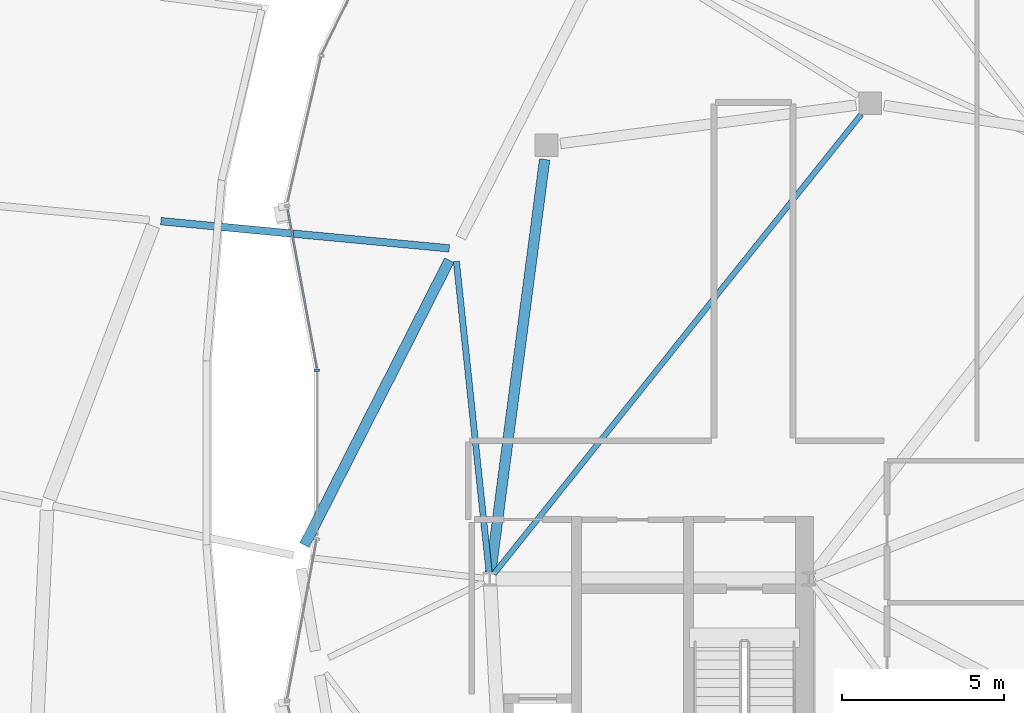
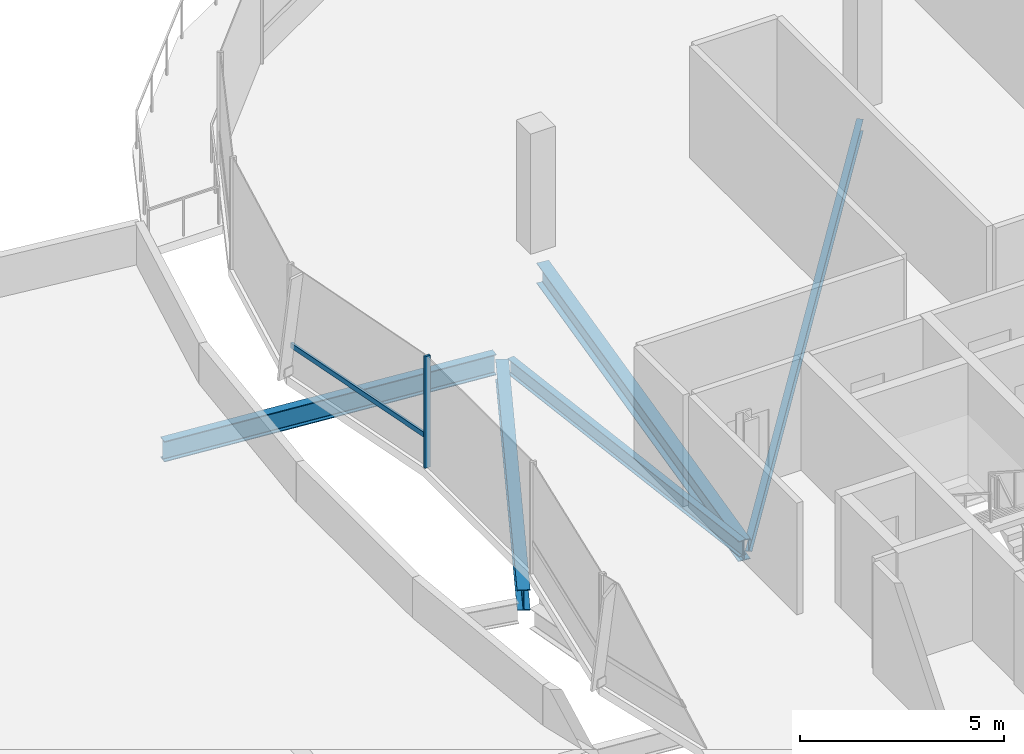
# One storey, part 14 of 31: 5 beams, 2 members, 1 element without a shape of its own.
"""IFC4 building model written with IfcOpenShell, lengths in metres."""

from ifc_helpers import new_model, si_unit, direction, frame, origin, origin_2d, place, context, subcontext, project, spatial, rectangle, i_section, extrude, material, material_profile, profile_set, type_object, element, aggregate, save


model = new_model("IFC4")

# Units and contexts
model_context = context("Model", 3, precision=1e-05, world=origin(), true_north=direction((0.0, 1.0)))
body_context = subcontext(model_context, "Body", "Model", "MODEL_VIEW")
ifc_project = project(units=[si_unit("LENGTHUNIT", "METRE"), si_unit("AREAUNIT", "SQUARE_METRE"), si_unit("VOLUMEUNIT", "CUBIC_METRE"), si_unit("PLANEANGLEUNIT", "RADIAN"), si_unit("MASSUNIT", "GRAM", prefix="KILO"), si_unit("THERMODYNAMICTEMPERATUREUNIT", "KELVIN"), si_unit("POWERUNIT", "WATT")], contexts=[model_context])

# Site, building, storey
site_placement = place(None, origin())
site = spatial("IfcSite", under=ifc_project, at=site_placement, CompositionType="ELEMENT")
building_placement = place(site_placement, origin())
building = spatial("IfcBuilding", under=site, at=building_placement, Name="Cundina Bronze Exchange", CompositionType="ELEMENT")
storey_placement = place(building_placement, frame((0.0, 0.0, 275.60009765625)))
storey = spatial("IfcBuildingStorey", under=building, at=storey_placement, Name="L73", CompositionType="ELEMENT", Elevation=275.60009765625)

# Beams
ifc_material_1 = material(Name="Steel ASTM A992 Grade 50", Category="steel")
ifc_material_profile_1 = material_profile(ifc_material_1, i_section(OverallWidth=0.19091796875, OverallDepth=0.4599609375, WebThickness=0.010009765625, FlangeThickness=0.01611328125, FilletRadius=0.011962890625, at=origin_2d()), Name="W18X55", Category="steel")
ifc_profile_set_1 = profile_set([ifc_material_profile_1], Name="Steel ASTM A992 Grade 50")
beam_type_1 = type_object("IfcBeamType", Name="BM-FLR-W18B", PredefinedType="BEAM", material=ifc_profile_set_1)
beam_1_placement = place(storey_placement, frame((21.429443359375, -3.705078125, -0.489990234375), z_axis=(-0.10480040809, 0.994493275223, 0.0), x_axis=(-0.994493275223, -0.10480040809, 0.0)))
element("IfcBeam", 1, at=beam_1_placement, inside=storey, type_object=beam_type_1, Name="L73 Leg E Chordal Floor Beam 13", PredefinedType="BEAM", context=body_context, shape_type="SweptSolid", body=[
    extrude(i_section(OverallWidth=0.19091796875, OverallDepth=0.4599609375, WebThickness=0.010009765625, FlangeThickness=0.01611328125, FilletRadius=0.011962890625, at=origin_2d()), origin(), (0.0, 0.0, 1.0), 9.67236328125),
])
ifc_material_profile_2 = material_profile(ifc_material_1, i_section(OverallWidth=0.22998046875, OverallDepth=0.616943359375, WebThickness=0.01318359375, FlangeThickness=0.022216796875, FilletRadius=0.013916015625, at=origin_2d()), Name="W24X94", Category="steel")
ifc_profile_set_2 = profile_set([ifc_material_profile_2], Name="Steel ASTM A992 Grade 50")
beam_type_2 = type_object("IfcBeamType", Name="BM-FLR-W24B", PredefinedType="BEAM", material=ifc_profile_set_2)
beam_2_placement = place(storey_placement, frame((11.285400390625, 7.158203125, -0.57861328125), z_axis=(0.995572136276, -0.094000646124, 0.0), x_axis=(0.094000646124, 0.995572136276, 0.0)))
element("IfcBeam", 2, at=beam_2_placement, inside=storey, type_object=beam_type_2, Name="L73 Sky-Gate Longitudinal Girder Y3-P4", PredefinedType="BEAM", context=body_context, shape_type="SweptSolid", body=[
    extrude(i_section(OverallWidth=0.22998046875, OverallDepth=0.616943359375, WebThickness=0.01318359375, FlangeThickness=0.022216796875, FilletRadius=0.013916015625, at=origin_2d()), origin(), (0.0, 0.0, 1.0), 8.949951171875),
])
ifc_material_profile_3 = material_profile(ifc_material_1, i_section(OverallWidth=0.172119140625, OverallDepth=0.35791015625, WebThickness=0.0078125, FlangeThickness=0.01318359375, FilletRadius=0.010009765625, at=origin_2d()), Name="W14X38", Category="steel")
ifc_profile_set_3 = profile_set([ifc_material_profile_3], Name="Steel ASTM A992 Grade 50")
beam_type_3 = type_object("IfcBeamType", Name="BM-JST-W14", PredefinedType="JOIST", material=ifc_profile_set_3)
beam_3_placement = place(storey_placement, frame((21.572509765625, -3.746826171875, -0.439208984375), z_axis=(0.624364266872, 0.781133319129, 0.0), x_axis=(-0.781133319129, 0.624364266872, 0.0)))
element("IfcBeam", 3, at=beam_3_placement, inside=storey, type_object=beam_type_3, Name="L73 E Interior Core-to-Ring Joist 2", PredefinedType="JOIST", context=body_context, shape_type="SweptSolid", body=[
    extrude(i_section(OverallWidth=0.172119140625, OverallDepth=0.35791015625, WebThickness=0.0078125, FlangeThickness=0.01318359375, FilletRadius=0.010009765625, at=origin_2d()), origin(), (0.0, 0.0, 1.0), 18.184814453125),
])
ifc_material_profile_4 = material_profile(ifc_material_1, i_section(OverallWidth=0.324951171875, OverallDepth=0.615966796875, WebThickness=0.013916015625, FlangeThickness=0.021484375, FilletRadius=0.01611328125, at=origin_2d()), Name="W24X117", Category="steel")
ifc_profile_set_4 = profile_set([ifc_material_profile_4], Name="Steel ASTM A992 Grade 50")
beam_type_4 = type_object("IfcBeamType", Name="BM-RING-W24", PredefinedType="USERDEFINED", material=ifc_profile_set_4)
beam_4_placement = place(storey_placement, frame((23.143310546875, 9.065673828125, -0.568115234375), z_axis=(-0.129501251979, -0.991579258424, 0.0), x_axis=(0.991579258424, -0.129501251979, 0.0)))
element("IfcBeam", 4, at=beam_4_placement, inside=storey, type_object=beam_type_4, Name="L73 E Inner Structural Ring Girder 07", ObjectType="GIRDER", PredefinedType="USERDEFINED", context=body_context, shape_type="SweptSolid", body=[
    extrude(i_section(OverallWidth=0.324951171875, OverallDepth=0.615966796875, WebThickness=0.013916015625, FlangeThickness=0.021484375, FilletRadius=0.01611328125, at=origin_2d()), origin(), (0.0, 0.0, 1.0), 12.8798828125),
])
beam_5_placement = place(storey_placement, frame((20.19921875, 5.9541015625, -0.568115234375), z_axis=(-0.452839263805, -0.891592171991, 0.0), x_axis=(0.891592171991, -0.452839263805, 0.0)))
element("IfcBeam", 5, at=beam_5_placement, inside=storey, type_object=beam_type_4, Name="L73 E Perimeter Ring Girder 13", ObjectType="GIRDER", PredefinedType="USERDEFINED", context=body_context, shape_type="SweptSolid", body=[
    extrude(i_section(OverallWidth=0.324951171875, OverallDepth=0.615966796875, WebThickness=0.013916015625, FlangeThickness=0.021484375, FilletRadius=0.01611328125, at=origin_2d()), origin(), (0.0, 0.0, 1.0), 9.879150390625),
])

# Curtain wall, members
ifc_material_2 = material(Name="Anodised Bronze Aluminium 6063-T6", Category="aluminium")
curtain_wall_type = type_object("IfcCurtainWallType", Name="CWS-CRN-TMD", PredefinedType="NOTDEFINED", material=ifc_material_2)
curtain_wall_placement = place(storey_placement, origin())
curtain_wall = element("IfcCurtainWall", 6, at=curtain_wall_placement, inside=storey, type_object=curtain_wall_type, Name="L73 CW-07 Curtain Wall Run CWR-L73-E2", PredefinedType="NOTDEFINED")
ifc_material_profile_5 = material_profile(ifc_material_2, rectangle(XDim=0.06494140625, YDim=0.159912109375, at=origin_2d()), Name="AL65X160", Category="aluminium")
ifc_profile_set_5 = profile_set([ifc_material_profile_5], Name="Anodised Bronze Aluminium 6063-T6")
member_type_1 = type_object("IfcMemberType", Name="CWM-MUL-160", PredefinedType="MULLION", material=ifc_profile_set_5)
member_1_placement = place(storey_placement, frame((16.113037109375, 2.552490234375, 0.0), z_axis=(0.0, 0.0, 1.0), x_axis=(0.0, -1.0, 0.0)))
member_1 = element("IfcMember", 7, at=member_1_placement, type_object=member_type_1, Name="CW-07 Mullion 6", PredefinedType="MULLION", context=body_context, shape_type="SweptSolid", body=[
    extrude(rectangle(XDim=0.06494140625, YDim=0.159912109375, at=origin_2d()), origin(), (0.0, 0.0, 1.0), 3.33984375),
])
ifc_material_profile_6 = material_profile(ifc_material_2, rectangle(XDim=0.06494140625, YDim=0.14990234375, at=origin_2d()), Name="AL65X150", Category="aluminium")
ifc_profile_set_6 = profile_set([ifc_material_profile_6], Name="Anodised Bronze Aluminium 6063-T6")
member_type_2 = type_object("IfcMemberType", Name="CWM-TRN-150", PredefinedType="USERDEFINED", material=ifc_profile_set_6)
member_2_placement = place(storey_placement, frame((15.191162109375, 7.600341796875, 0.919921875), z_axis=(0.181560403715, -0.983379794282, 0.0), x_axis=(0.983379794282, 0.181560403715, 0.0)))
member_2 = element("IfcMember", 8, at=member_2_placement, type_object=member_type_2, Name="CW-07 Spandrel Transom 5", ObjectType="TRANSOM", PredefinedType="USERDEFINED", context=body_context, shape_type="SweptSolid", body=[
    extrude(rectangle(XDim=0.06494140625, YDim=0.14990234375, at=origin_2d()), origin(), (0.0, 0.0, 1.0), 5.05859375),
])
aggregate(curtain_wall, [member_2, member_1])

save(model, "model.ifc")
